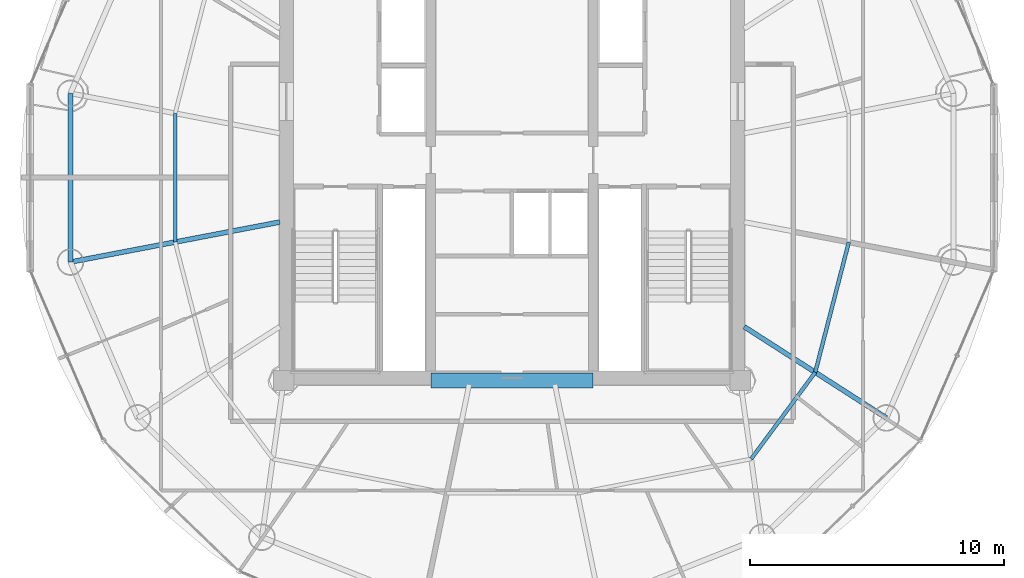
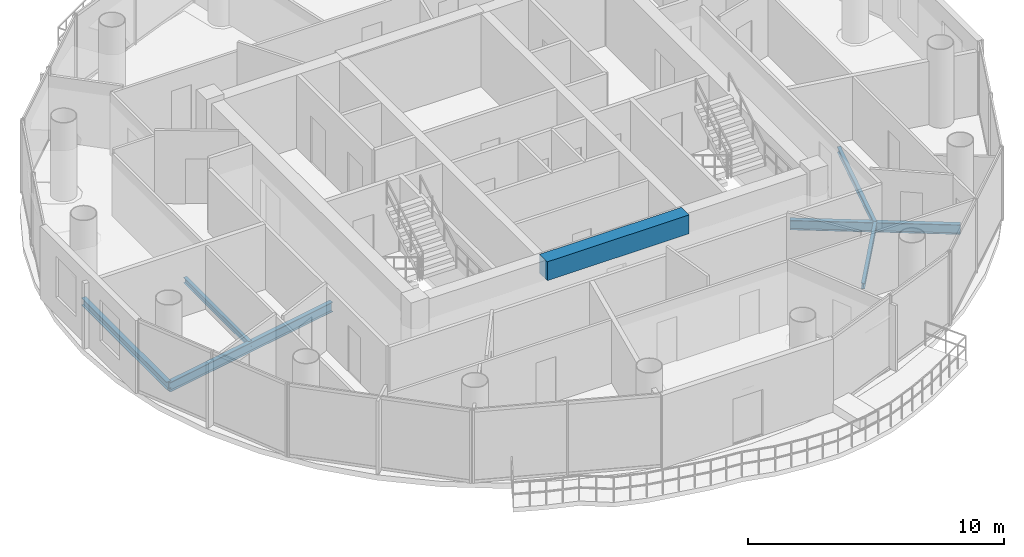
# One storey, part 7 of 23: 7 beams.
"""IFC4 building model written with IfcOpenShell, lengths in metres."""

import ifcopenshell
import ifcopenshell.guid

model = None  # the IFC model being written
_history = None  # IfcOwnerHistory: only IFC2X3 demands one
_inside = {}  # id of a spatial element -> (the spatial element, [elements in it])
_under = {}  # id of a project, library or spatial element -> (it, [spatial elements below it])
_declared = {}  # id of a project -> (the project, [libraries it declares])
_typed = {}  # id of a type object -> (the type object, [elements of that type])
_made_of = {}  # id of a material, layer set ... -> (it, [elements and type objects made of it])


def new_model(schema):
    """Start an empty IFC model of exactly this schema.

    Asked for "IFC4X3", IfcOpenShell would pick the latest addendum, in which some entities
    have other attributes; the version numbers below select the first issue.
    IFC2X3 requires an IfcOwnerHistory on every rooted entity: one is made here for all.
    """
    global model, _history
    if schema == "IFC4X3":
        model = ifcopenshell.file(schema_version=(4, 3, 0, 0))
    else:
        model = ifcopenshell.file(schema=schema)
    _inside.clear()
    _under.clear()
    _declared.clear()
    _typed.clear()
    _made_of.clear()
    _history = None
    if model.schema == "IFC2X3":
        org = make("IfcOrganization", Name="unknown")
        user = make(
            "IfcPersonAndOrganization",
            ThePerson=make("IfcPerson", FamilyName="unknown"),
            TheOrganization=org,
        )
        app = make(
            "IfcApplication",
            ApplicationDeveloper=org,
            Version="unknown",
            ApplicationFullName="unknown",
            ApplicationIdentifier="unknown",
        )
        _history = make(
            "IfcOwnerHistory",
            OwningUser=user,
            OwningApplication=app,
            ChangeAction="ADDED",
            CreationDate=0,
        )
    return model


def make(cls, **values):
    """One entity of the class cls with the attributes given. An attribute that is None is left unset."""
    return model.create_entity(
        cls, **{name: value for name, value in values.items() if value is not None}
    )


def rooted(cls, **values):
    """An entity with a GlobalId (a new one), such as an element, a storey or a relation."""
    return make(cls, GlobalId=ifcopenshell.guid.new(), OwnerHistory=_history, **values)


def si_unit(unit_type, name, prefix=None):
    """IfcSIUnit, for example si_unit("LENGTHUNIT", "METRE", prefix="MILLI")."""
    return make("IfcSIUnit", UnitType=unit_type, Prefix=prefix, Name=name)


def assignment(units):
    """IfcUnitAssignment: the units of a project."""
    return None if units is None else make("IfcUnitAssignment", Units=units)


def point(xyz):
    """IfcCartesianPoint."""
    return None if xyz is None else make("IfcCartesianPoint", Coordinates=xyz)


def direction(xyz):
    """IfcDirection."""
    return None if xyz is None else make("IfcDirection", DirectionRatios=xyz)


def frame(location, z_axis=None, x_axis=None):
    """IfcAxis2Placement3D, a coordinate frame: its origin and axes. An axis left out is left unset."""
    return make(
        "IfcAxis2Placement3D",
        Location=point(location),
        Axis=direction(z_axis),
        RefDirection=direction(x_axis),
    )


def frame_2d(location, x_axis=None):
    """IfcAxis2Placement2D, a coordinate frame in the plane: its origin and x axis."""
    return make(
        "IfcAxis2Placement2D", Location=point(location), RefDirection=direction(x_axis)
    )


def origin():
    """The frame at (0, 0, 0) with its axes left unset."""
    return frame((0.0, 0.0, 0.0))


def origin_2d():
    """The frame at (0, 0) in the plane with its x axis left unset."""
    return frame_2d((0.0, 0.0))


def place(relative_to, where):
    """IfcLocalPlacement: puts the frame where relative to a parent placement (None: the world)."""
    return make(
        "IfcLocalPlacement", PlacementRelTo=relative_to, RelativePlacement=where
    )


def context(
    kind, dimensions, precision=None, world=None, true_north=None, identifier=None
):
    """IfcGeometricRepresentationContext, for example the 3D "Model" context."""
    return make(
        "IfcGeometricRepresentationContext",
        ContextIdentifier=identifier,
        ContextType=kind,
        CoordinateSpaceDimension=dimensions,
        Precision=precision,
        WorldCoordinateSystem=world,
        TrueNorth=true_north,
    )


def subcontext(parent, identifier, kind, view, scale=None):
    """IfcGeometricRepresentationSubContext, for example "Body" below "Model"."""
    return make(
        "IfcGeometricRepresentationSubContext",
        ContextIdentifier=identifier,
        ContextType=kind,
        ParentContext=parent,
        TargetScale=scale,
        TargetView=view,
    )


def project(units=None, contexts=None):
    """IfcProject with its units and contexts."""
    return rooted(
        "IfcProject",
        Name="project",
        RepresentationContexts=contexts,
        UnitsInContext=assignment(units),
    )


def spatial(cls, under=None, at=None, **own):
    """A site, building, storey or space (cls), placed at a placement, below another one or the project."""
    s = rooted(cls, ObjectPlacement=at, **own)
    if under is not None:
        _under.setdefault(under.id(), (under, []))[1].append(s)
    return s


def profile(cls, at=None, kind="AREA", **sizes):
    """A parametric profile (cls). Its sizes go by their IFC names, for example OverallWidth=200.0."""
    return make(cls, ProfileType=kind, Position=at, **sizes)


def rectangle(**sizes):
    """IfcRectangleProfileDef."""
    return profile("IfcRectangleProfileDef", **sizes)


def i_section(**sizes):
    """IfcIShapeProfileDef."""
    return profile("IfcIShapeProfileDef", **sizes)


def extrude(swept, where, along, depth):
    """IfcExtrudedAreaSolid: the profile swept, set in the frame where, extruded along a direction by depth."""
    return make(
        "IfcExtrudedAreaSolid",
        SweptArea=swept,
        Position=where,
        ExtrudedDirection=direction(along),
        Depth=depth,
    )


def shape(context_of_items, identifier, shape_type, items):
    """IfcShapeRepresentation: the items that make up one representation, for example the "Body"."""
    return make(
        "IfcShapeRepresentation",
        ContextOfItems=context_of_items,
        RepresentationIdentifier=identifier,
        RepresentationType=shape_type,
        Items=items,
    )


def material(Name=None, Category=None):
    """IfcMaterial."""
    return make("IfcMaterial", Name=Name, Category=Category)


def material_profile(
    of_material, cross_section, Name=None, Category=None, Priority=None
):
    """IfcMaterialProfile: a cross section and its material."""
    return make(
        "IfcMaterialProfile",
        Name=Name,
        Material=of_material,
        Profile=cross_section,
        Priority=Priority,
        Category=Category,
    )


def profile_set(profiles, Name=None, composite=None):
    """IfcMaterialProfileSet."""
    return make(
        "IfcMaterialProfileSet",
        Name=Name,
        MaterialProfiles=profiles,
        CompositeProfile=composite,
    )


def made_of(thing, what):
    """Note that an element or type object is made of a material, layer set ...; save() writes the relation."""
    if what is not None:
        _made_of.setdefault(what.id(), (what, []))[1].append(thing)
    return thing


def type_object(cls, material=None, **own):
    """A type object (cls), such as IfcWallType, which elements share."""
    return made_of(rooted(cls, **own), material)


def element(
    cls,
    number,
    at=None,
    inside=None,
    cuts=None,
    type_object=None,
    material=None,
    context=None,
    identifier="Body",
    shape_type=None,
    held_by="IfcProductDefinitionShape",
    body=None,
    shapes=None,
    **own,
):
    """One element of the class cls, such as IfcWall. Its Tag is "e" and its number.

    at: its placement. inside: the storey or other place that contains it. cuts: it is an
    opening in that element (IfcRelVoidsElement). A single representation is given by context,
    identifier, shape_type and body (its items); several are given by shapes. held_by: the class
    of the entity that holds the representations. save() writes the other relations.
    """
    e = rooted(cls, Tag="e%d" % number, ObjectPlacement=at, **own)
    if body is not None:
        shapes = [shape(context, identifier, shape_type, body)]
    if shapes is not None:
        e.Representation = make(held_by, Representations=shapes)
    if inside is not None:
        _inside.setdefault(inside.id(), (inside, []))[1].append(e)
    if cuts is not None:
        rooted(
            "IfcRelVoidsElement", RelatingBuildingElement=cuts, RelatedOpeningElement=e
        )
    if type_object is not None:
        _typed.setdefault(type_object.id(), (type_object, []))[1].append(e)
    return made_of(e, material)


def aggregate(whole, parts):
    """IfcRelAggregates: a whole, such as a stair, and the parts it consists of."""
    return rooted("IfcRelAggregates", RelatingObject=whole, RelatedObjects=parts)


def save(model, path):
    """Write the relations noted so far, then the file.

    IfcRelAggregates (storeys below a building ...), IfcRelContainedInSpatialStructure (elements
    in a storey), IfcRelDefinesByType, IfcRelAssociatesMaterial and IfcRelDeclares: one each for
    every whole, place, type object, material and project.
    """
    for whole, parts in _under.values():
        aggregate(whole, parts)
    for where, things in _inside.values():
        rooted(
            "IfcRelContainedInSpatialStructure",
            RelatedElements=things,
            RelatingStructure=where,
        )
    for kind, things in _typed.values():
        rooted("IfcRelDefinesByType", RelatedObjects=things, RelatingType=kind)
    for what, things in _made_of.values():
        rooted("IfcRelAssociatesMaterial", RelatedObjects=things, RelatingMaterial=what)
    for by, libraries in _declared.values():
        rooted("IfcRelDeclares", RelatingContext=by, RelatedDefinitions=libraries)
    model.write(path)


model = new_model("IFC4")

# Units and contexts
model_context = context("Model", 3, precision=1e-05, world=origin(), true_north=direction((-0.2419218956, 0.970295726276)))
body_context = subcontext(model_context, "Body", "Model", "MODEL_VIEW")
ifc_project = project(units=[si_unit("LENGTHUNIT", "METRE"), si_unit("AREAUNIT", "SQUARE_METRE"), si_unit("VOLUMEUNIT", "CUBIC_METRE"), si_unit("PLANEANGLEUNIT", "RADIAN"), si_unit("MASSUNIT", "GRAM", prefix="KILO")], contexts=[model_context])

# Site, building, storey
site_placement = place(None, origin())
site = spatial("IfcSite", under=ifc_project, at=site_placement, CompositionType="ELEMENT")
building_placement = place(site_placement, origin())
building = spatial("IfcBuilding", under=site, at=building_placement, Name="Cobrevalo Terracotta Tower", CompositionType="ELEMENT")
storey_placement = place(building_placement, frame((0.0, 0.0, 259.449951171875)))
storey = spatial("IfcBuildingStorey", under=building, at=storey_placement, Name="L68", CompositionType="ELEMENT", Elevation=259.449951171875)

# Beams
ifc_material_1 = material(Name="Concrete C60", Category="concrete")
ifc_material_profile_1 = material_profile(ifc_material_1, rectangle(XDim=0.60009765625, YDim=0.89990234375, at=origin_2d()), Name="RC CB 600x900")
ifc_profile_set_1 = profile_set([ifc_material_profile_1], Name="Concrete C60")
beam_type_1 = type_object("IfcBeamType", Name="Structural Beam RC CB 600x900 (Concrete C60)", PredefinedType="BEAM", material=ifc_profile_set_1)
beam_1_placement = place(storey_placement, frame((34.800048828125, 18.800048828125, 3.0400390625), z_axis=(1.0, 0.0, 0.0), x_axis=(0.0, 1.0, 0.0)))
element("IfcBeam", 1, at=beam_1_placement, inside=storey, type_object=beam_type_1, Name="L68 core coupling beam 1", PredefinedType="BEAM", context=body_context, shape_type="SweptSolid", body=[
    extrude(rectangle(XDim=0.60009765625, YDim=0.89990234375, at=origin_2d()), origin(), (0.0, 0.0, 1.0), 6.39990234375),
])
ifc_material_2 = material(Name="Steel S355", Category="steel")
ifc_material_profile_2 = material_profile(ifc_material_2, i_section(OverallWidth=0.19091796875, OverallDepth=0.4599609375, WebThickness=0.010009765625, FlangeThickness=0.01611328125, at=origin_2d()), Name="W 460x82")
ifc_profile_set_2 = profile_set([ifc_material_profile_2], Name="Steel S355")
beam_type_2 = type_object("IfcBeamType", Name="Structural Beam W 460x82 (Steel S355)", PredefinedType="BEAM", material=ifc_profile_set_2)
beam_2_placement = place(storey_placement, frame((20.591064453125, 23.4736328125, -0.489990234375), z_axis=(0.982229562106, 0.187683476432, 0.0), x_axis=(-0.187683476432, 0.982229562106, 0.0)))
element("IfcBeam", 2, at=beam_2_placement, inside=storey, type_object=beam_type_2, Name="L68 radial floor girder 09", PredefinedType="BEAM", context=body_context, shape_type="SweptSolid", body=[
    extrude(i_section(OverallWidth=0.19091796875, OverallDepth=0.4599609375, WebThickness=0.010009765625, FlangeThickness=0.01611328125, at=origin_2d()), origin(), (0.0, 0.0, 1.0), 8.4033203125),
])
beam_3_placement = place(storey_placement, frame((52.758544921875, 17.32763671875, -0.489990234375), z_axis=(-0.84157615512, 0.540138477739, 0.0), x_axis=(-0.540138477739, -0.84157615512, 0.0)))
element("IfcBeam", 3, at=beam_3_placement, inside=storey, type_object=beam_type_2, Name="L68 radial floor girder 15", PredefinedType="BEAM", context=body_context, shape_type="SweptSolid", body=[
    extrude(i_section(OverallWidth=0.19091796875, OverallDepth=0.4599609375, WebThickness=0.010009765625, FlangeThickness=0.01611328125, at=origin_2d()), origin(), (0.0, 0.0, 1.0), 6.658447265625),
])
ifc_material_profile_3 = material_profile(ifc_material_2, i_section(OverallWidth=0.14794921875, OverallDepth=0.26611328125, WebThickness=0.007568359375, FlangeThickness=0.012939453125, at=origin_2d()), Name="W 250x44.8")
ifc_profile_set_3 = profile_set([ifc_material_profile_3], Name="Steel S355")
beam_type_3 = type_object("IfcBeamType", Name="Structural Joist W 250x44.8 (Steel S355)", PredefinedType="JOIST", material=ifc_profile_set_3)
beam_4_placement = place(storey_placement, frame((24.718017578125, 29.337646484375, -0.39306640625), z_axis=(0.0, -1.0, 0.0), x_axis=(1.0, 0.0, 0.0)))
element("IfcBeam", 4, at=beam_4_placement, inside=storey, type_object=beam_type_3, Name="L68 circumferential secondary floor joist 08", PredefinedType="JOIST", context=body_context, shape_type="SweptSolid", body=[
    extrude(i_section(OverallWidth=0.14794921875, OverallDepth=0.26611328125, WebThickness=0.007568359375, FlangeThickness=0.012939453125, at=origin_2d()), origin(), (0.0, 0.0, 1.0), 5.075439453125),
])
beam_5_placement = place(storey_placement, frame((47.4306640625, 15.711669921875, -0.39306640625), z_axis=(0.594799916617, 0.803873783123, 0.0), x_axis=(-0.803873783123, 0.594799916617, 0.0)))
element("IfcBeam", 5, at=beam_5_placement, inside=storey, type_object=beam_type_3, Name="L68 circumferential secondary floor joist 14", PredefinedType="JOIST", context=body_context, shape_type="SweptSolid", body=[
    extrude(i_section(OverallWidth=0.14794921875, OverallDepth=0.26611328125, WebThickness=0.007568359375, FlangeThickness=0.012939453125, at=origin_2d()), origin(), (0.0, 0.0, 1.0), 4.2470703125),
])
beam_6_placement = place(storey_placement, frame((49.956787109375, 19.125732421875, -0.39306640625), z_axis=(0.249816773293, 0.968293126993, 0.0), x_axis=(-0.968293126993, 0.249816773293, 0.0)))
element("IfcBeam", 6, at=beam_6_placement, inside=storey, type_object=beam_type_3, Name="L68 circumferential secondary floor joist 15", PredefinedType="JOIST", context=body_context, shape_type="SweptSolid", body=[
    extrude(i_section(OverallWidth=0.14794921875, OverallDepth=0.26611328125, WebThickness=0.007568359375, FlangeThickness=0.012939453125, at=origin_2d()), origin(), (0.0, 0.0, 1.0), 5.3046875),
])
ifc_material_profile_4 = material_profile(ifc_material_2, i_section(OverallWidth=0.205078125, OverallDepth=0.35400390625, WebThickness=0.009521484375, FlangeThickness=0.016845703125, at=origin_2d()), Name="W 360x79")
ifc_profile_set_4 = profile_set([ifc_material_profile_4], Name="Steel S355")
beam_type_4 = type_object("IfcBeamType", Name="Structural Spandrel W 360x79 (Steel S355)", PredefinedType="SPANDREL", material=ifc_profile_set_4)
beam_7_placement = place(storey_placement, frame((20.591064453125, 30.126220703125, -0.43701171875), z_axis=(0.0, -1.0, 0.0), x_axis=(1.0, 0.0, 0.0)))
element("IfcBeam", 7, at=beam_7_placement, inside=storey, type_object=beam_type_4, Name="L68 perimeter ring spandrel 08", PredefinedType="SPANDREL", context=body_context, shape_type="SweptSolid", body=[
    extrude(i_section(OverallWidth=0.205078125, OverallDepth=0.35400390625, WebThickness=0.009521484375, FlangeThickness=0.016845703125, at=origin_2d()), origin(), (0.0, 0.0, 1.0), 6.652587890625),
])

save(model, "model.ifc")
